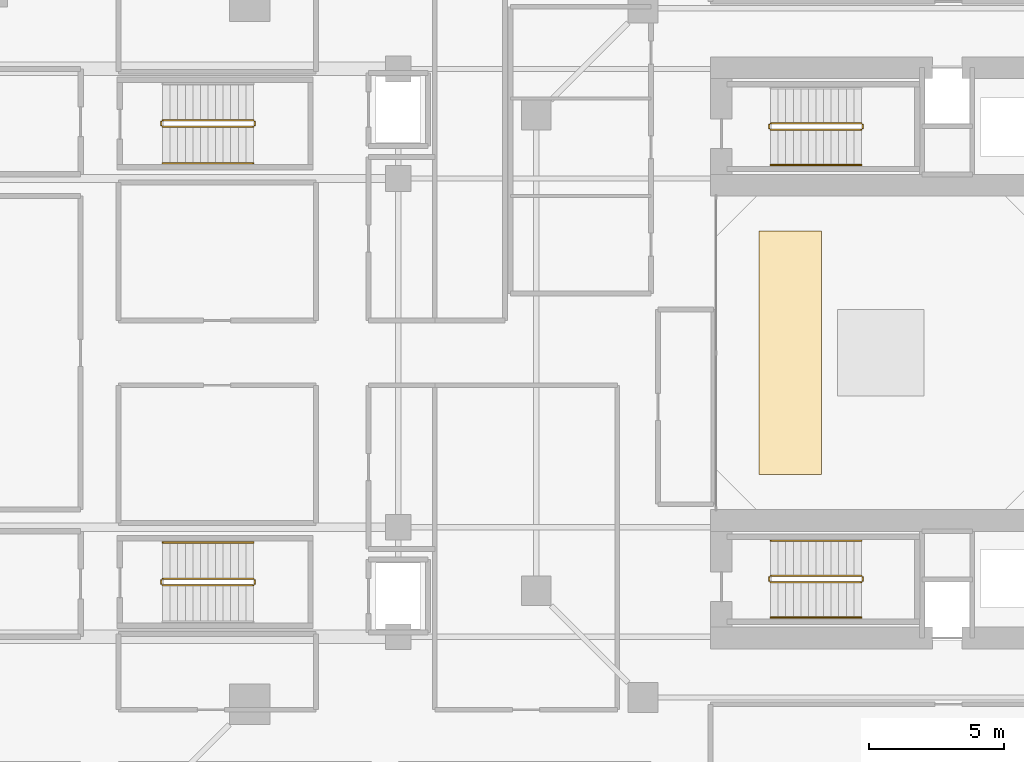
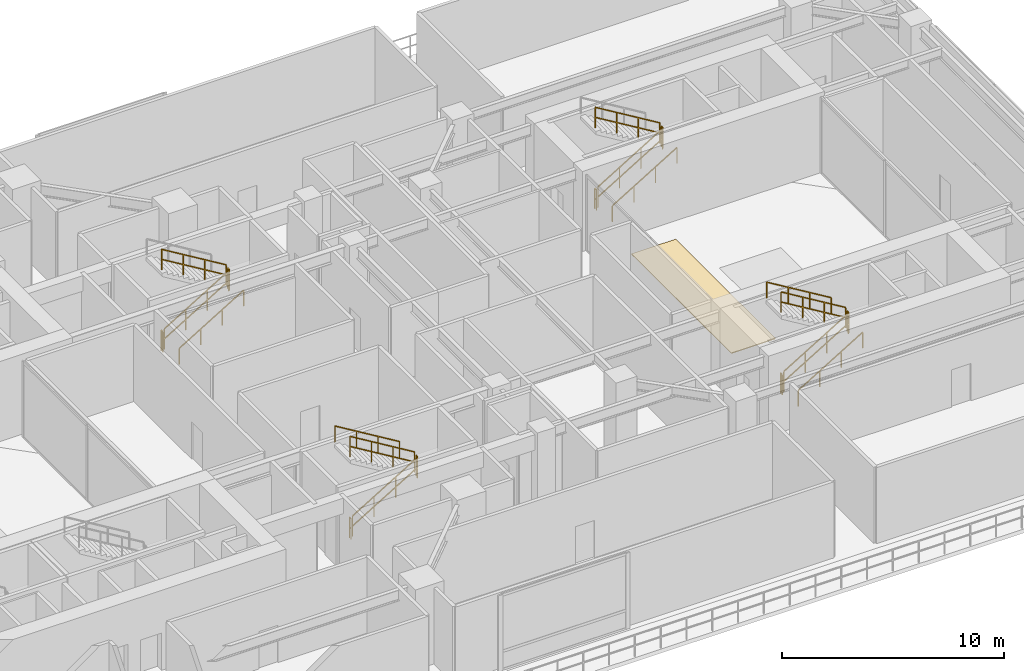
# One storey, part 18 of 19: 21 railings, 1 covering.
"""IFC4 building model written with IfcOpenShell, lengths in metres."""

from ifc_helpers import new_model, si_unit, direction, frame, origin, origin_2d, place, context, subcontext, project, spatial, polyline, rectangle, outline, extrude, material, layer, layer_set, type_object, element, save


model = new_model("IFC4")

# Units and contexts
model_context = context("Model", 3, precision=1e-05, world=origin(), true_north=direction((0.0, 1.0)))
body_context = subcontext(model_context, "Body", "Model", "MODEL_VIEW")
ifc_project = project(units=[si_unit("LENGTHUNIT", "METRE"), si_unit("AREAUNIT", "SQUARE_METRE"), si_unit("VOLUMEUNIT", "CUBIC_METRE"), si_unit("PLANEANGLEUNIT", "RADIAN"), si_unit("MASSUNIT", "GRAM", prefix="KILO"), si_unit("THERMODYNAMICTEMPERATUREUNIT", "KELVIN"), si_unit("POWERUNIT", "WATT")], contexts=[model_context])

# Site, building, storey
site_placement = place(None, origin())
site = spatial("IfcSite", under=ifc_project, at=site_placement, CompositionType="ELEMENT")
building_placement = place(site_placement, origin())
building = spatial("IfcBuilding", under=site, at=building_placement, Name="Qiaomeng Ring Towers", CompositionType="ELEMENT")
storey_placement = place(building_placement, frame((0.0, 0.0, 5.0)))
storey = spatial("IfcBuildingStorey", under=building, at=storey_placement, Name="L01", CompositionType="ELEMENT", Elevation=5.0)

# Covering
ifc_material_1 = material(Name="EPDM waterproofing membrane and XPS insulation", Category="membrane")
ifc_layer = layer(ifc_material_1, 0.0400390625, Name="EPDM waterproofing membrane and XPS insulation")
ifc_layer_set = layer_set([ifc_layer], Name="EPDM waterproofing membrane and XPS insulation")
covering_type = type_object("IfcCoveringType", Name="ARC-COV-ROOF", PredefinedType="ROOFING", material=ifc_layer_set)
covering_placement = place(storey_placement, origin())
element("IfcCovering", 1, at=covering_placement, inside=storey, type_object=covering_type, Name="Atrium T2 Roof Membrane", PredefinedType="ROOFING", context=body_context, shape_type="SweptSolid", body=[
    extrude(outline(polyline([(56.0, 18.5), (58.300048828125, 18.5), (58.300048828125, 27.5), (56.0, 27.5), (56.0, 18.5)])), origin(), (0.0, 0.0, 1.0), 0.0400390625),
])

# Railings
ifc_material_2 = material(Name="Galvanised steel", Category="steel")
railing_type_1 = type_object("IfcRailingType", Name="ARC-RL-GUARD", PredefinedType="GUARDRAIL", material=ifc_material_2)
railing_1_placement = place(storey_placement, frame((56.419921875, 31.25, 0.169189453125)))
element("IfcRailing", 2, at=railing_1_placement, inside=storey, type_object=railing_type_1, Name="L01 ST5 stair guard 1", PredefinedType="GUARDRAIL", context=body_context, shape_type="SweptSolid", body=[
    extrude(rectangle(XDim=0.048095703125, YDim=0.048095703125, at=origin_2d()), frame((0.0, 0.0, 1.1259765625), z_axis=(0.855836976705, 0.0, 0.517245656632), x_axis=(0.0, 1.0, 0.0)), (0.0, 0.0, 1.0), 3.926025390625),
    extrude(rectangle(XDim=0.048095703125, YDim=0.048095703125, at=origin_2d()), frame((0.0, 0.0, 0.574951171875), z_axis=(0.855836976705, 0.0, 0.517245656632), x_axis=(0.0, 1.0, 0.0)), (0.0, 0.0, 1.0), 3.926025390625),
    extrude(rectangle(XDim=0.0419921875, YDim=0.0419921875, at=origin_2d()), origin(), (0.0, 0.0, 1.0), 1.101806640625),
    extrude(rectangle(XDim=0.0419921875, YDim=0.0419921875, at=origin_2d()), frame((1.1201171875, 0.0, 0.677001953125)), (0.0, 0.0, 1.0), 1.101806640625),
    extrude(rectangle(XDim=0.0419921875, YDim=0.0419921875, at=origin_2d()), frame((2.239990234375, 0.0, 1.353759765625)), (0.0, 0.0, 1.0), 1.101806640625),
    extrude(rectangle(XDim=0.0419921875, YDim=0.0419921875, at=origin_2d()), frame((3.360107421875, 0.0, 2.03076171875)), (0.0, 0.0, 1.0), 1.101806640625),
])
railing_2_placement = place(storey_placement, frame((59.830078125, 31.300048828125, 2.199951171875)))
element("IfcRailing", 3, at=railing_2_placement, inside=storey, type_object=railing_type_1, Name="L01 ST5 stair guard 2", PredefinedType="GUARDRAIL", context=body_context, shape_type="SweptSolid", body=[
    extrude(rectangle(XDim=0.048095703125, YDim=0.048095703125, at=origin_2d()), frame((0.0, 0.0, 1.1259765625), z_axis=(0.0, 1.0, 0.0), x_axis=(-1.0, 0.0, 0.0)), (0.0, 0.0, 1.0), 0.139892578125),
    extrude(rectangle(XDim=0.048095703125, YDim=0.048095703125, at=origin_2d()), frame((0.0, 0.0, 0.574951171875), z_axis=(0.0, 1.0, 0.0), x_axis=(-1.0, 0.0, 0.0)), (0.0, 0.0, 1.0), 0.139892578125),
    extrude(rectangle(XDim=0.0419921875, YDim=0.0419921875, at=origin_2d()), origin(), (0.0, 0.0, 1.0), 1.101806640625),
    extrude(rectangle(XDim=0.0419921875, YDim=0.0419921875, at=origin_2d()), frame((0.0, 0.139892578125, 0.0)), (0.0, 0.0, 1.0), 1.101806640625),
])
railing_3_placement = place(storey_placement, frame((59.780029296875, 31.489990234375, 2.369140625)))
element("IfcRailing", 4, at=railing_3_placement, inside=storey, type_object=railing_type_1, Name="L01 ST5 stair guard 3", PredefinedType="GUARDRAIL", context=body_context, shape_type="SweptSolid", body=[
    extrude(rectangle(XDim=0.048095703125, YDim=0.048095703125, at=origin_2d()), frame((0.0, 0.0, 1.1259765625), z_axis=(-0.855836976705, 0.0, 0.517245656632), x_axis=(0.0, -1.0, 0.0)), (0.0, 0.0, 1.0), 3.926025390625),
    extrude(rectangle(XDim=0.048095703125, YDim=0.048095703125, at=origin_2d()), frame((0.0, 0.0, 0.574951171875), z_axis=(-0.855836976705, 0.0, 0.517245656632), x_axis=(0.0, -1.0, 0.0)), (0.0, 0.0, 1.0), 3.926025390625),
    extrude(rectangle(XDim=0.0419921875, YDim=0.0419921875, at=origin_2d()), origin(), (0.0, 0.0, 1.0), 1.101806640625),
    extrude(rectangle(XDim=0.0419921875, YDim=0.0419921875, at=origin_2d()), frame((-1.1201171875, 0.0, 0.677001953125)), (0.0, 0.0, 1.0), 1.101806640625),
    extrude(rectangle(XDim=0.0419921875, YDim=0.0419921875, at=origin_2d()), frame((-2.239990234375, 0.0, 1.353759765625)), (0.0, 0.0, 1.0), 1.101806640625),
    extrude(rectangle(XDim=0.0419921875, YDim=0.0419921875, at=origin_2d()), frame((-3.360107421875, 0.0, 2.03076171875)), (0.0, 0.0, 1.0), 1.101806640625),
])
railing_4_placement = place(storey_placement, frame((56.3701171875, 31.300048828125, 0.0)))
element("IfcRailing", 5, at=railing_4_placement, inside=storey, type_object=railing_type_1, Name="L01 ST5 stair guard 4", PredefinedType="GUARDRAIL", context=body_context, shape_type="SweptSolid", body=[
    extrude(rectangle(XDim=0.048095703125, YDim=0.048095703125, at=origin_2d()), frame((0.0, 0.0, 1.1259765625), z_axis=(0.0, 1.0, 0.0), x_axis=(-1.0, 0.0, 0.0)), (0.0, 0.0, 1.0), 0.139892578125),
    extrude(rectangle(XDim=0.048095703125, YDim=0.048095703125, at=origin_2d()), frame((0.0, 0.0, 0.574951171875), z_axis=(0.0, 1.0, 0.0), x_axis=(-1.0, 0.0, 0.0)), (0.0, 0.0, 1.0), 0.139892578125),
    extrude(rectangle(XDim=0.0419921875, YDim=0.0419921875, at=origin_2d()), origin(), (0.0, 0.0, 1.0), 1.101806640625),
    extrude(rectangle(XDim=0.0419921875, YDim=0.0419921875, at=origin_2d()), frame((0.0, 0.139892578125, 0.0)), (0.0, 0.0, 1.0), 1.101806640625),
])
railing_5_placement = place(storey_placement, frame((56.419921875, 14.510009765625, 0.169189453125)))
element("IfcRailing", 6, at=railing_5_placement, inside=storey, type_object=railing_type_1, Name="L01 ST6 stair guard 1", PredefinedType="GUARDRAIL", context=body_context, shape_type="SweptSolid", body=[
    extrude(rectangle(XDim=0.048095703125, YDim=0.048095703125, at=origin_2d()), frame((0.0, 0.0, 1.1259765625), z_axis=(0.855836976705, 0.0, 0.517245656632), x_axis=(0.0, 1.0, 0.0)), (0.0, 0.0, 1.0), 3.926025390625),
    extrude(rectangle(XDim=0.048095703125, YDim=0.048095703125, at=origin_2d()), frame((0.0, 0.0, 0.574951171875), z_axis=(0.855836976705, 0.0, 0.517245656632), x_axis=(0.0, 1.0, 0.0)), (0.0, 0.0, 1.0), 3.926025390625),
    extrude(rectangle(XDim=0.0419921875, YDim=0.0419921875, at=origin_2d()), origin(), (0.0, 0.0, 1.0), 1.101806640625),
    extrude(rectangle(XDim=0.0419921875, YDim=0.0419921875, at=origin_2d()), frame((1.1201171875, 0.0, 0.677001953125)), (0.0, 0.0, 1.0), 1.101806640625),
    extrude(rectangle(XDim=0.0419921875, YDim=0.0419921875, at=origin_2d()), frame((2.239990234375, 0.0, 1.353759765625)), (0.0, 0.0, 1.0), 1.101806640625),
    extrude(rectangle(XDim=0.0419921875, YDim=0.0419921875, at=origin_2d()), frame((3.360107421875, 0.0, 2.03076171875)), (0.0, 0.0, 1.0), 1.101806640625),
])
railing_6_placement = place(storey_placement, frame((59.830078125, 14.56005859375, 2.199951171875)))
element("IfcRailing", 7, at=railing_6_placement, inside=storey, type_object=railing_type_1, Name="L01 ST6 stair guard 2", PredefinedType="GUARDRAIL", context=body_context, shape_type="SweptSolid", body=[
    extrude(rectangle(XDim=0.048095703125, YDim=0.048095703125, at=origin_2d()), frame((0.0, 0.0, 1.1259765625), z_axis=(0.0, 1.0, 0.0), x_axis=(-1.0, 0.0, 0.0)), (0.0, 0.0, 1.0), 0.139892578125),
    extrude(rectangle(XDim=0.048095703125, YDim=0.048095703125, at=origin_2d()), frame((0.0, 0.0, 0.574951171875), z_axis=(0.0, 1.0, 0.0), x_axis=(-1.0, 0.0, 0.0)), (0.0, 0.0, 1.0), 0.139892578125),
    extrude(rectangle(XDim=0.0419921875, YDim=0.0419921875, at=origin_2d()), origin(), (0.0, 0.0, 1.0), 1.101806640625),
    extrude(rectangle(XDim=0.0419921875, YDim=0.0419921875, at=origin_2d()), frame((0.0, 0.139892578125, 0.0)), (0.0, 0.0, 1.0), 1.101806640625),
])
railing_7_placement = place(storey_placement, frame((59.780029296875, 14.75, 2.369140625)))
element("IfcRailing", 8, at=railing_7_placement, inside=storey, type_object=railing_type_1, Name="L01 ST6 stair guard 3", PredefinedType="GUARDRAIL", context=body_context, shape_type="SweptSolid", body=[
    extrude(rectangle(XDim=0.048095703125, YDim=0.048095703125, at=origin_2d()), frame((0.0, 0.0, 1.1259765625), z_axis=(-0.855836976705, 0.0, 0.517245656632), x_axis=(0.0, -1.0, 0.0)), (0.0, 0.0, 1.0), 3.926025390625),
    extrude(rectangle(XDim=0.048095703125, YDim=0.048095703125, at=origin_2d()), frame((0.0, 0.0, 0.574951171875), z_axis=(-0.855836976705, 0.0, 0.517245656632), x_axis=(0.0, -1.0, 0.0)), (0.0, 0.0, 1.0), 3.926025390625),
    extrude(rectangle(XDim=0.0419921875, YDim=0.0419921875, at=origin_2d()), origin(), (0.0, 0.0, 1.0), 1.101806640625),
    extrude(rectangle(XDim=0.0419921875, YDim=0.0419921875, at=origin_2d()), frame((-1.1201171875, 0.0, 0.677001953125)), (0.0, 0.0, 1.0), 1.101806640625),
    extrude(rectangle(XDim=0.0419921875, YDim=0.0419921875, at=origin_2d()), frame((-2.239990234375, 0.0, 1.353759765625)), (0.0, 0.0, 1.0), 1.101806640625),
    extrude(rectangle(XDim=0.0419921875, YDim=0.0419921875, at=origin_2d()), frame((-3.360107421875, 0.0, 2.03076171875)), (0.0, 0.0, 1.0), 1.101806640625),
])
railing_8_placement = place(storey_placement, frame((56.3701171875, 14.56005859375, 0.0)))
element("IfcRailing", 9, at=railing_8_placement, inside=storey, type_object=railing_type_1, Name="L01 ST6 stair guard 4", PredefinedType="GUARDRAIL", context=body_context, shape_type="SweptSolid", body=[
    extrude(rectangle(XDim=0.048095703125, YDim=0.048095703125, at=origin_2d()), frame((0.0, 0.0, 1.1259765625), z_axis=(0.0, 1.0, 0.0), x_axis=(-1.0, 0.0, 0.0)), (0.0, 0.0, 1.0), 0.139892578125),
    extrude(rectangle(XDim=0.048095703125, YDim=0.048095703125, at=origin_2d()), frame((0.0, 0.0, 0.574951171875), z_axis=(0.0, 1.0, 0.0), x_axis=(-1.0, 0.0, 0.0)), (0.0, 0.0, 1.0), 0.139892578125),
    extrude(rectangle(XDim=0.0419921875, YDim=0.0419921875, at=origin_2d()), origin(), (0.0, 0.0, 1.0), 1.101806640625),
    extrude(rectangle(XDim=0.0419921875, YDim=0.0419921875, at=origin_2d()), frame((0.0, 0.139892578125, 0.0)), (0.0, 0.0, 1.0), 1.101806640625),
])
railing_9_placement = place(storey_placement, frame((33.929931640625, 31.360107421875, 0.169189453125)))
element("IfcRailing", 10, at=railing_9_placement, inside=storey, type_object=railing_type_1, Name="L01 ST7 stair guard 1", PredefinedType="GUARDRAIL", context=body_context, shape_type="SweptSolid", body=[
    extrude(rectangle(XDim=0.048095703125, YDim=0.048095703125, at=origin_2d()), frame((0.0, 0.0, 1.1259765625), z_axis=(0.855836976705, 0.0, 0.517245656632), x_axis=(0.0, 1.0, 0.0)), (0.0, 0.0, 1.0), 3.926025390625),
    extrude(rectangle(XDim=0.048095703125, YDim=0.048095703125, at=origin_2d()), frame((0.0, 0.0, 0.574951171875), z_axis=(0.855836976705, 0.0, 0.517245656632), x_axis=(0.0, 1.0, 0.0)), (0.0, 0.0, 1.0), 3.926025390625),
    extrude(rectangle(XDim=0.0419921875, YDim=0.0419921875, at=origin_2d()), origin(), (0.0, 0.0, 1.0), 1.101806640625),
    extrude(rectangle(XDim=0.0419921875, YDim=0.0419921875, at=origin_2d()), frame((1.1201171875, 0.0, 0.677001953125)), (0.0, 0.0, 1.0), 1.101806640625),
    extrude(rectangle(XDim=0.0419921875, YDim=0.0419921875, at=origin_2d()), frame((2.239990234375, 0.0, 1.353759765625)), (0.0, 0.0, 1.0), 1.101806640625),
    extrude(rectangle(XDim=0.0419921875, YDim=0.0419921875, at=origin_2d()), frame((3.360107421875, 0.0, 2.03076171875)), (0.0, 0.0, 1.0), 1.101806640625),
])
railing_10_placement = place(storey_placement, frame((37.340087890625, 31.409912109375, 2.199951171875)))
element("IfcRailing", 11, at=railing_10_placement, inside=storey, type_object=railing_type_1, Name="L01 ST7 stair guard 2", PredefinedType="GUARDRAIL", context=body_context, shape_type="SweptSolid", body=[
    extrude(rectangle(XDim=0.048095703125, YDim=0.048095703125, at=origin_2d()), frame((0.0, 0.0, 1.1259765625), z_axis=(0.0, 1.0, 0.0), x_axis=(-1.0, 0.0, 0.0)), (0.0, 0.0, 1.0), 0.14013671875),
    extrude(rectangle(XDim=0.048095703125, YDim=0.048095703125, at=origin_2d()), frame((0.0, 0.0, 0.574951171875), z_axis=(0.0, 1.0, 0.0), x_axis=(-1.0, 0.0, 0.0)), (0.0, 0.0, 1.0), 0.14013671875),
    extrude(rectangle(XDim=0.0419921875, YDim=0.0419921875, at=origin_2d()), origin(), (0.0, 0.0, 1.0), 1.101806640625),
    extrude(rectangle(XDim=0.0419921875, YDim=0.0419921875, at=origin_2d()), frame((0.0, 0.14013671875, 0.0)), (0.0, 0.0, 1.0), 1.101806640625),
])
railing_11_placement = place(storey_placement, frame((37.2900390625, 31.60009765625, 2.369140625)))
element("IfcRailing", 12, at=railing_11_placement, inside=storey, type_object=railing_type_1, Name="L01 ST7 stair guard 3", PredefinedType="GUARDRAIL", context=body_context, shape_type="SweptSolid", body=[
    extrude(rectangle(XDim=0.048095703125, YDim=0.048095703125, at=origin_2d()), frame((0.0, 0.0, 1.1259765625), z_axis=(-0.855836976705, 0.0, 0.517245656632), x_axis=(0.0, -1.0, 0.0)), (0.0, 0.0, 1.0), 3.926025390625),
    extrude(rectangle(XDim=0.048095703125, YDim=0.048095703125, at=origin_2d()), frame((0.0, 0.0, 0.574951171875), z_axis=(-0.855836976705, 0.0, 0.517245656632), x_axis=(0.0, -1.0, 0.0)), (0.0, 0.0, 1.0), 3.926025390625),
    extrude(rectangle(XDim=0.0419921875, YDim=0.0419921875, at=origin_2d()), origin(), (0.0, 0.0, 1.0), 1.101806640625),
    extrude(rectangle(XDim=0.0419921875, YDim=0.0419921875, at=origin_2d()), frame((-1.1201171875, 0.0, 0.677001953125)), (0.0, 0.0, 1.0), 1.101806640625),
    extrude(rectangle(XDim=0.0419921875, YDim=0.0419921875, at=origin_2d()), frame((-2.239990234375, 0.0, 1.353759765625)), (0.0, 0.0, 1.0), 1.101806640625),
    extrude(rectangle(XDim=0.0419921875, YDim=0.0419921875, at=origin_2d()), frame((-3.360107421875, 0.0, 2.03076171875)), (0.0, 0.0, 1.0), 1.101806640625),
])
railing_12_placement = place(storey_placement, frame((33.8798828125, 31.409912109375, 0.0)))
element("IfcRailing", 13, at=railing_12_placement, inside=storey, type_object=railing_type_1, Name="L01 ST7 stair guard 4", PredefinedType="GUARDRAIL", context=body_context, shape_type="SweptSolid", body=[
    extrude(rectangle(XDim=0.048095703125, YDim=0.048095703125, at=origin_2d()), frame((0.0, 0.0, 1.1259765625), z_axis=(0.0, 1.0, 0.0), x_axis=(-1.0, 0.0, 0.0)), (0.0, 0.0, 1.0), 0.14013671875),
    extrude(rectangle(XDim=0.048095703125, YDim=0.048095703125, at=origin_2d()), frame((0.0, 0.0, 0.574951171875), z_axis=(0.0, 1.0, 0.0), x_axis=(-1.0, 0.0, 0.0)), (0.0, 0.0, 1.0), 0.14013671875),
    extrude(rectangle(XDim=0.0419921875, YDim=0.0419921875, at=origin_2d()), origin(), (0.0, 0.0, 1.0), 1.101806640625),
    extrude(rectangle(XDim=0.0419921875, YDim=0.0419921875, at=origin_2d()), frame((0.0, 0.14013671875, 0.0)), (0.0, 0.0, 1.0), 1.101806640625),
])
railing_13_placement = place(storey_placement, frame((33.929931640625, 14.39990234375, 0.169189453125)))
element("IfcRailing", 14, at=railing_13_placement, inside=storey, type_object=railing_type_1, Name="L01 ST8 stair guard 1", PredefinedType="GUARDRAIL", context=body_context, shape_type="SweptSolid", body=[
    extrude(rectangle(XDim=0.048095703125, YDim=0.048095703125, at=origin_2d()), frame((0.0, 0.0, 1.1259765625), z_axis=(0.855836976705, 0.0, 0.517245656632), x_axis=(0.0, 1.0, 0.0)), (0.0, 0.0, 1.0), 3.926025390625),
    extrude(rectangle(XDim=0.048095703125, YDim=0.048095703125, at=origin_2d()), frame((0.0, 0.0, 0.574951171875), z_axis=(0.855836976705, 0.0, 0.517245656632), x_axis=(0.0, 1.0, 0.0)), (0.0, 0.0, 1.0), 3.926025390625),
    extrude(rectangle(XDim=0.0419921875, YDim=0.0419921875, at=origin_2d()), origin(), (0.0, 0.0, 1.0), 1.101806640625),
    extrude(rectangle(XDim=0.0419921875, YDim=0.0419921875, at=origin_2d()), frame((1.1201171875, 0.0, 0.677001953125)), (0.0, 0.0, 1.0), 1.101806640625),
    extrude(rectangle(XDim=0.0419921875, YDim=0.0419921875, at=origin_2d()), frame((2.239990234375, 0.0, 1.353759765625)), (0.0, 0.0, 1.0), 1.101806640625),
    extrude(rectangle(XDim=0.0419921875, YDim=0.0419921875, at=origin_2d()), frame((3.360107421875, 0.0, 2.03076171875)), (0.0, 0.0, 1.0), 1.101806640625),
])
railing_14_placement = place(storey_placement, frame((37.340087890625, 14.449951171875, 2.199951171875)))
element("IfcRailing", 15, at=railing_14_placement, inside=storey, type_object=railing_type_1, Name="L01 ST8 stair guard 2", PredefinedType="GUARDRAIL", context=body_context, shape_type="SweptSolid", body=[
    extrude(rectangle(XDim=0.048095703125, YDim=0.048095703125, at=origin_2d()), frame((0.0, 0.0, 1.1259765625), z_axis=(0.0, 1.0, 0.0), x_axis=(-1.0, 0.0, 0.0)), (0.0, 0.0, 1.0), 0.14013671875),
    extrude(rectangle(XDim=0.048095703125, YDim=0.048095703125, at=origin_2d()), frame((0.0, 0.0, 0.574951171875), z_axis=(0.0, 1.0, 0.0), x_axis=(-1.0, 0.0, 0.0)), (0.0, 0.0, 1.0), 0.14013671875),
    extrude(rectangle(XDim=0.0419921875, YDim=0.0419921875, at=origin_2d()), origin(), (0.0, 0.0, 1.0), 1.101806640625),
    extrude(rectangle(XDim=0.0419921875, YDim=0.0419921875, at=origin_2d()), frame((0.0, 0.14013671875, 0.0)), (0.0, 0.0, 1.0), 1.101806640625),
])
railing_15_placement = place(storey_placement, frame((37.2900390625, 14.639892578125, 2.369140625)))
element("IfcRailing", 16, at=railing_15_placement, inside=storey, type_object=railing_type_1, Name="L01 ST8 stair guard 3", PredefinedType="GUARDRAIL", context=body_context, shape_type="SweptSolid", body=[
    extrude(rectangle(XDim=0.048095703125, YDim=0.048095703125, at=origin_2d()), frame((0.0, 0.0, 1.1259765625), z_axis=(-0.855836976705, 0.0, 0.517245656632), x_axis=(0.0, -1.0, 0.0)), (0.0, 0.0, 1.0), 3.926025390625),
    extrude(rectangle(XDim=0.048095703125, YDim=0.048095703125, at=origin_2d()), frame((0.0, 0.0, 0.574951171875), z_axis=(-0.855836976705, 0.0, 0.517245656632), x_axis=(0.0, -1.0, 0.0)), (0.0, 0.0, 1.0), 3.926025390625),
    extrude(rectangle(XDim=0.0419921875, YDim=0.0419921875, at=origin_2d()), origin(), (0.0, 0.0, 1.0), 1.101806640625),
    extrude(rectangle(XDim=0.0419921875, YDim=0.0419921875, at=origin_2d()), frame((-1.1201171875, 0.0, 0.677001953125)), (0.0, 0.0, 1.0), 1.101806640625),
    extrude(rectangle(XDim=0.0419921875, YDim=0.0419921875, at=origin_2d()), frame((-2.239990234375, 0.0, 1.353759765625)), (0.0, 0.0, 1.0), 1.101806640625),
    extrude(rectangle(XDim=0.0419921875, YDim=0.0419921875, at=origin_2d()), frame((-3.360107421875, 0.0, 2.03076171875)), (0.0, 0.0, 1.0), 1.101806640625),
])
railing_16_placement = place(storey_placement, frame((33.8798828125, 14.449951171875, 0.0)))
element("IfcRailing", 17, at=railing_16_placement, inside=storey, type_object=railing_type_1, Name="L01 ST8 stair guard 4", PredefinedType="GUARDRAIL", context=body_context, shape_type="SweptSolid", body=[
    extrude(rectangle(XDim=0.048095703125, YDim=0.048095703125, at=origin_2d()), frame((0.0, 0.0, 1.1259765625), z_axis=(0.0, 1.0, 0.0), x_axis=(-1.0, 0.0, 0.0)), (0.0, 0.0, 1.0), 0.14013671875),
    extrude(rectangle(XDim=0.048095703125, YDim=0.048095703125, at=origin_2d()), frame((0.0, 0.0, 0.574951171875), z_axis=(0.0, 1.0, 0.0), x_axis=(-1.0, 0.0, 0.0)), (0.0, 0.0, 1.0), 0.14013671875),
    extrude(rectangle(XDim=0.0419921875, YDim=0.0419921875, at=origin_2d()), origin(), (0.0, 0.0, 1.0), 1.101806640625),
    extrude(rectangle(XDim=0.0419921875, YDim=0.0419921875, at=origin_2d()), frame((0.0, 0.14013671875, 0.0)), (0.0, 0.0, 1.0), 1.101806640625),
])
ifc_material_3 = material(Name="Stainless steel 316", Category="steel")
railing_type_2 = type_object("IfcRailingType", Name="ARC-RL-HAND", PredefinedType="HANDRAIL", material=ifc_material_3)
for number, where, name in (
    (18, (56.419921875, 29.949951171875, 0.169189453125), "L01 ST5 stair handrail 1"),
    (19, (56.419921875, 13.2099609375, 0.169189453125), "L01 ST6 stair handrail 1"),
):
    element("IfcRailing", number, at=place(storey_placement, frame(where)), inside=storey, type_object=railing_type_2, Name=name, PredefinedType="HANDRAIL", context=body_context, shape_type="SweptSolid", body=[
        extrude(rectangle(XDim=0.048095703125, YDim=0.048095703125, at=origin_2d()), frame((0.0, 0.0, 0.8759765625), z_axis=(0.855836976705, 0.0, 0.517245656632), x_axis=(0.0, 1.0, 0.0)), (0.0, 0.0, 1.0), 3.926025390625),
        extrude(rectangle(XDim=0.0419921875, YDim=0.0419921875, at=origin_2d()), origin(), (0.0, 0.0, 1.0), 0.851806640625),
        extrude(rectangle(XDim=0.0419921875, YDim=0.0419921875, at=origin_2d()), frame((1.1201171875, 0.0, 0.677001953125)), (0.0, 0.0, 1.0), 0.851806640625),
        extrude(rectangle(XDim=0.0419921875, YDim=0.0419921875, at=origin_2d()), frame((2.239990234375, 0.0, 1.353759765625)), (0.0, 0.0, 1.0), 0.851806640625),
        extrude(rectangle(XDim=0.0419921875, YDim=0.0419921875, at=origin_2d()), frame((3.360107421875, 0.0, 2.03076171875)), (0.0, 0.0, 1.0), 0.851806640625),
    ])
railing_17_placement = place(storey_placement, frame((59.780029296875, 16.050048828125, 2.369140625)))
element("IfcRailing", 20, at=railing_17_placement, inside=storey, type_object=railing_type_2, Name="L01 ST6 stair handrail 2", PredefinedType="HANDRAIL", context=body_context, shape_type="SweptSolid", body=[
    extrude(rectangle(XDim=0.048095703125, YDim=0.048095703125, at=origin_2d()), frame((0.0, 0.0, 0.8759765625), z_axis=(-0.855836976705, 0.0, 0.517245656632), x_axis=(0.0, -1.0, 0.0)), (0.0, 0.0, 1.0), 3.926025390625),
    extrude(rectangle(XDim=0.0419921875, YDim=0.0419921875, at=origin_2d()), origin(), (0.0, 0.0, 1.0), 0.851806640625),
    extrude(rectangle(XDim=0.0419921875, YDim=0.0419921875, at=origin_2d()), frame((-1.1201171875, 0.0, 0.677001953125)), (0.0, 0.0, 1.0), 0.851806640625),
    extrude(rectangle(XDim=0.0419921875, YDim=0.0419921875, at=origin_2d()), frame((-2.239990234375, 0.0, 1.353759765625)), (0.0, 0.0, 1.0), 0.851806640625),
    extrude(rectangle(XDim=0.0419921875, YDim=0.0419921875, at=origin_2d()), frame((-3.360107421875, 0.0, 2.03076171875)), (0.0, 0.0, 1.0), 0.851806640625),
])
railing_18_placement = place(storey_placement, frame((33.929931640625, 30.010009765625, 0.169189453125)))
element("IfcRailing", 21, at=railing_18_placement, inside=storey, type_object=railing_type_2, Name="L01 ST7 stair handrail 1", PredefinedType="HANDRAIL", context=body_context, shape_type="SweptSolid", body=[
    extrude(rectangle(XDim=0.048095703125, YDim=0.048095703125, at=origin_2d()), frame((0.0, 0.0, 0.8759765625), z_axis=(0.855836976705, 0.0, 0.517245656632), x_axis=(0.0, 1.0, 0.0)), (0.0, 0.0, 1.0), 3.926025390625),
    extrude(rectangle(XDim=0.0419921875, YDim=0.0419921875, at=origin_2d()), origin(), (0.0, 0.0, 1.0), 0.851806640625),
    extrude(rectangle(XDim=0.0419921875, YDim=0.0419921875, at=origin_2d()), frame((1.1201171875, 0.0, 0.677001953125)), (0.0, 0.0, 1.0), 0.851806640625),
    extrude(rectangle(XDim=0.0419921875, YDim=0.0419921875, at=origin_2d()), frame((2.239990234375, 0.0, 1.353759765625)), (0.0, 0.0, 1.0), 0.851806640625),
    extrude(rectangle(XDim=0.0419921875, YDim=0.0419921875, at=origin_2d()), frame((3.360107421875, 0.0, 2.03076171875)), (0.0, 0.0, 1.0), 0.851806640625),
])
railing_19_placement = place(storey_placement, frame((37.2900390625, 15.989990234375, 2.369140625)))
element("IfcRailing", 22, at=railing_19_placement, inside=storey, type_object=railing_type_2, Name="L01 ST8 stair handrail 2", PredefinedType="HANDRAIL", context=body_context, shape_type="SweptSolid", body=[
    extrude(rectangle(XDim=0.048095703125, YDim=0.048095703125, at=origin_2d()), frame((0.0, 0.0, 0.8759765625), z_axis=(-0.855836976705, 0.0, 0.517245656632), x_axis=(0.0, -1.0, 0.0)), (0.0, 0.0, 1.0), 3.926025390625),
    extrude(rectangle(XDim=0.0419921875, YDim=0.0419921875, at=origin_2d()), origin(), (0.0, 0.0, 1.0), 0.851806640625),
    extrude(rectangle(XDim=0.0419921875, YDim=0.0419921875, at=origin_2d()), frame((-1.1201171875, 0.0, 0.677001953125)), (0.0, 0.0, 1.0), 0.851806640625),
    extrude(rectangle(XDim=0.0419921875, YDim=0.0419921875, at=origin_2d()), frame((-2.239990234375, 0.0, 1.353759765625)), (0.0, 0.0, 1.0), 0.851806640625),
    extrude(rectangle(XDim=0.0419921875, YDim=0.0419921875, at=origin_2d()), frame((-3.360107421875, 0.0, 2.03076171875)), (0.0, 0.0, 1.0), 0.851806640625),
])

save(model, "model.ifc")
